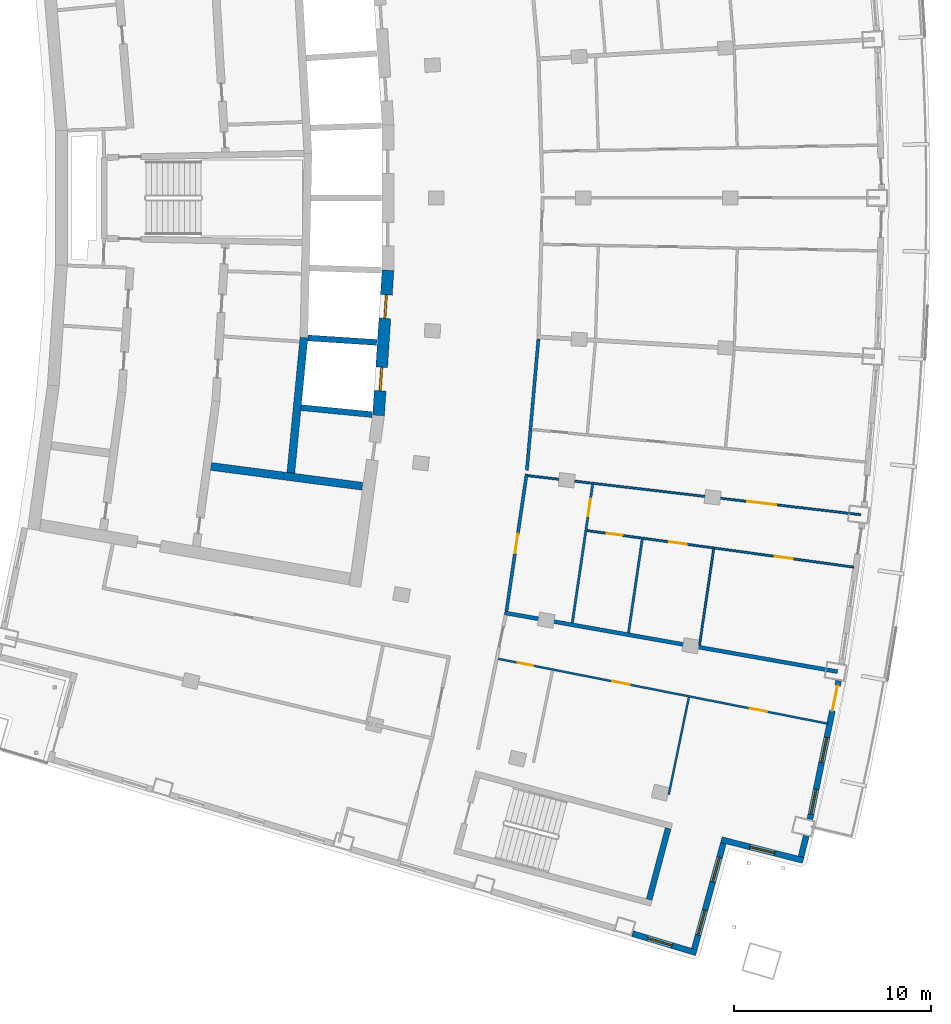
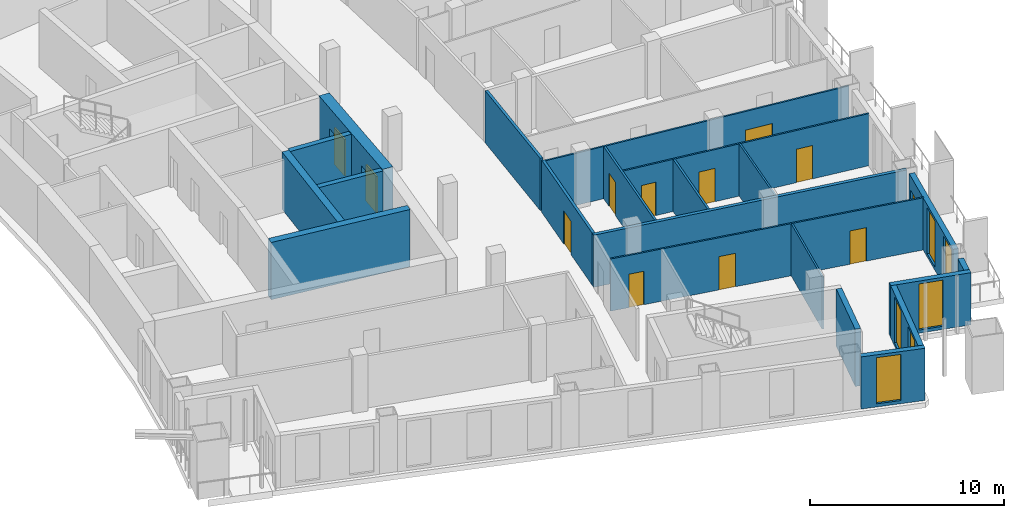
# One storey, part 10 of 19: 21 walls, 12 doors, 6 windows, 18 openings.
"""IFC4 building model written with IfcOpenShell, lengths in metres."""

from ifc_helpers import new_model, si_unit, direction, frame, frame_2d, origin, place, context, subcontext, project, spatial, rectangle, extrude, material, layer, layer_set, type_object, element, fill, save


model = new_model("IFC4")

# Units and contexts
model_context = context("Model", 3, precision=1e-05, world=origin(), true_north=direction((0.0, 1.0)))
body_context = subcontext(model_context, "Body", "Model", "MODEL_VIEW")
ifc_project = project(units=[si_unit("LENGTHUNIT", "METRE"), si_unit("AREAUNIT", "SQUARE_METRE"), si_unit("VOLUMEUNIT", "CUBIC_METRE"), si_unit("PLANEANGLEUNIT", "RADIAN"), si_unit("MASSUNIT", "GRAM", prefix="KILO")], contexts=[model_context])

# Site, building, storey
site_placement = place(None, origin())
site = spatial("IfcSite", under=ifc_project, at=site_placement, CompositionType="ELEMENT")
building_placement = place(site_placement, origin())
building = spatial("IfcBuilding", under=site, at=building_placement, Name="Alderwake Tower", CompositionType="ELEMENT")
storey_placement = place(building_placement, frame((0.0, 0.0, 203.60009765625)))
storey = spatial("IfcBuildingStorey", under=building, at=storey_placement, Name="L50", CompositionType="ELEMENT", Elevation=203.60009765625)

# Wall, openings, doors
ifc_material_1 = material(Name="Concrete C70/85", Category="concrete")
ifc_layer_1 = layer(ifc_material_1, 0.60009765625)
ifc_layer_set_1 = layer_set([ifc_layer_1], Name="Core wall outer 600 C70-85")
wall_type_1 = type_object("IfcWallType", Name="Core wall outer 600 C70-85", PredefinedType="SHEAR", material=ifc_layer_set_1)
wall_1_placement = place(storey_placement, frame((32.860107421875, 49.9453125, 0.0), z_axis=(0.0, 0.0, 1.0), x_axis=(0.065013379938, 0.997884392317, 0.0)))
wall_1 = element("IfcWall", 1, at=wall_1_placement, inside=storey, type_object=wall_type_1, Name="Core wall CW.016", PredefinedType="SHEAR", context=body_context, shape_type="SweptSolid", body=[
    extrude(rectangle(XDim=7.39404296875, YDim=0.60009765625, at=frame_2d((3.697021484375, 0.0))), origin(), (0.0, 0.0, 1.0), 3.599853515625),
])
opening_1_placement = place(wall_1_placement, frame((1.254150390625, 0.0, 0.0)))
opening_1 = element("IfcOpeningElement", 2, at=opening_1_placement, cuts=wall_1, Name="Opening LD-HP1", PredefinedType="OPENING", context=body_context, shape_type="SweptSolid", body=[
    extrude(rectangle(XDim=1.199951171875, YDim=2.300048828125, at=frame_2d((0.60009765625, 1.14990234375))), frame((0.0, 0.31005859375, 0.0), z_axis=(0.0, -1.0, 0.0), x_axis=(1.0, 0.0, 0.0)), (0.0, 0.0, 1.0), 0.6201171875),
])
opening_2_placement = place(wall_1_placement, frame((4.941162109375, 0.0, 0.0)))
opening_2 = element("IfcOpeningElement", 3, at=opening_2_placement, cuts=wall_1, Name="Opening LD-HP2", PredefinedType="OPENING", context=body_context, shape_type="SweptSolid", body=[
    extrude(rectangle(XDim=1.199951171875, YDim=2.300048828125, at=frame_2d((0.60009765625, 1.14990234375))), frame((0.0, 0.31005859375, 0.0), z_axis=(0.0, -1.0, 0.0), x_axis=(1.0, 0.0, 0.0)), (0.0, 0.0, 1.0), 0.6201171875),
])
ifc_material_2 = material(Name="Stainless steel sliding leaf", Category="steel")
door_type_1 = type_object("IfcDoorType", Name="Lift landing door 1200", OperationType="SLIDING_TO_LEFT", PredefinedType="DOOR", material=ifc_material_2)
door_1_placement = place(opening_1_placement, origin())
door_1 = element("IfcDoor", 4, at=door_1_placement, inside=storey, type_object=door_type_1, Name="Lift landing door HP1", OperationType="SLIDING_TO_LEFT", OverallHeight=2.300048828125, OverallWidth=1.199951171875, PredefinedType="DOOR", context=body_context, shape_type="SweptSolid", body=[
    extrude(rectangle(XDim=1.199951171875, YDim=2.300048828125, at=frame_2d((0.60009765625, 1.14990234375))), frame((0.0, 0.050048828125, 0.0), z_axis=(0.0, -1.0, 0.0), x_axis=(1.0, 0.0, 0.0)), (0.0, 0.0, 1.0), 0.10009765625),
])
fill(opening_1, door_1)
door_2_placement = place(opening_2_placement, origin())
door_2 = element("IfcDoor", 5, at=door_2_placement, inside=storey, type_object=door_type_1, Name="Lift landing door HP2", OperationType="SLIDING_TO_LEFT", OverallHeight=2.300048828125, OverallWidth=1.199951171875, PredefinedType="DOOR", context=body_context, shape_type="SweptSolid", body=[
    extrude(rectangle(XDim=1.199951171875, YDim=2.300048828125, at=frame_2d((0.60009765625, 1.14990234375))), frame((0.0, 0.050048828125, 0.0), z_axis=(0.0, -1.0, 0.0), x_axis=(1.0, 0.0, 0.0)), (0.0, 0.0, 1.0), 0.10009765625),
])
fill(opening_2, door_2)

# Walls
ifc_material_3 = material(Name="Concrete C70/85", Category="concrete")
ifc_layer_2 = layer(ifc_material_3, 0.300048828125)
ifc_layer_set_2 = layer_set([ifc_layer_2], Name="Core wall shaft 300 C70-85")
wall_type_2 = type_object("IfcWallType", Name="Core wall shaft 300 C70-85", PredefinedType="SHEAR", material=ifc_layer_set_2)
wall_2_placement = place(storey_placement, frame((28.92529296875, 50.341552734375, 0.0), z_axis=(0.0, 0.0, 1.0), x_axis=(0.995244416713, -0.097409193622, 0.0)))
element("IfcWall", 6, at=wall_2_placement, inside=storey, type_object=wall_type_2, Name="Core wall CW.064", PredefinedType="SHEAR", context=body_context, shape_type="SweptSolid", body=[
    extrude(rectangle(XDim=3.624267578125, YDim=0.300048828125, at=frame_2d((1.81201171875, 0.0))), origin(), (0.0, 0.0, 1.0), 3.599853515625),
])
wall_3_placement = place(storey_placement, frame((29.268798828125, 53.884521484375, 0.0), z_axis=(0.0, 0.0, 1.0), x_axis=(0.997887366571, -0.064967712281, 0.0)))
element("IfcWall", 7, at=wall_3_placement, inside=storey, type_object=wall_type_2, Name="Core wall CW.078", PredefinedType="SHEAR", context=body_context, shape_type="SweptSolid", body=[
    extrude(rectangle(XDim=3.509765625, YDim=0.300048828125, at=frame_2d((1.7548828125, 0.0))), origin(), (0.0, 0.0, 1.0), 3.599853515625),
])
ifc_material_4 = material(Name="Concrete C70/85", Category="concrete")
ifc_layer_3 = layer(ifc_material_4, 0.39990234375)
ifc_layer_set_3 = layer_set([ifc_layer_3], Name="Core wall spine 400 C70-85")
wall_type_3 = type_object("IfcWallType", Name="Core wall spine 400 C70-85", PredefinedType="SHEAR", material=ifc_layer_set_3)
wall_4_placement = place(storey_placement, frame((28.402587890625, 47.0234375, 0.0), z_axis=(0.0, 0.0, 1.0), x_axis=(0.096500230077, 0.995332962177, 0.0)))
element("IfcWall", 8, at=wall_4_placement, inside=storey, type_object=wall_type_3, Name="Core wall CW.005", PredefinedType="SHEAR", context=body_context, shape_type="SweptSolid", body=[
    extrude(rectangle(XDim=6.914306640625, YDim=0.39990234375, at=frame_2d((3.45703125, 0.0))), origin(), (0.0, 0.0, 1.0), 3.599853515625),
])
wall_5_placement = place(storey_placement, frame((24.34619140625, 47.352294921875, 0.0), z_axis=(0.0, 0.0, 1.0), x_axis=(0.991554866591, -0.129687881233, 0.0)))
element("IfcWall", 9, at=wall_5_placement, inside=storey, type_object=wall_type_3, Name="Core wall CW.069", PredefinedType="SHEAR", context=body_context, shape_type="SweptSolid", body=[
    extrude(rectangle(XDim=7.752197265625, YDim=0.39990234375, at=frame_2d((3.8759765625, 0.0))), origin(), (0.0, 0.0, 1.0), 3.599853515625),
])
ifc_material_5 = material(Name="Concrete C70/85", Category="concrete")
ifc_layer_4 = layer(ifc_material_5, 0.300048828125)
ifc_layer_set_4 = layer_set([ifc_layer_4], Name="Core wall stair enclosure 300 C70-85")
wall_type_4 = type_object("IfcWallType", Name="Core wall stair enclosure 300 C70-85", PredefinedType="SHEAR", material=ifc_layer_set_4)
wall_6_placement = place(storey_placement, frame((46.6162109375, 25.334716796875, 0.0), z_axis=(0.0, 0.0, 1.0), x_axis=(0.257366821694, 0.966313778796, 0.0)))
element("IfcWall", 10, at=wall_6_placement, inside=storey, type_object=wall_type_4, Name="Core wall CW.085", PredefinedType="SHEAR", context=body_context, shape_type="SweptSolid", body=[
    extrude(rectangle(XDim=3.749755859375, YDim=0.300048828125, at=frame_2d((1.875, 0.0))), origin(), (0.0, 0.0, 1.0), 3.599853515625),
])

# Wall, opening, door
ifc_material_6 = material(Name="Gypsum board on metal studs, rated")
ifc_layer_5 = layer(ifc_material_6, 0.159912109375)
ifc_layer_set_5 = layer_set([ifc_layer_5], Name="Corridor wall 160")
wall_type_5 = type_object("IfcWallType", Name="Corridor wall 160", PredefinedType="PARTITIONING", material=ifc_layer_set_5)
wall_7_placement = place(storey_placement, frame((40.388671875, 46.97216796875, 0.0), z_axis=(0.0, 0.0, 1.0), x_axis=(-0.145525888156, -0.989354444007, 0.0)))
wall_7 = element("IfcWall", 11, at=wall_7_placement, inside=storey, type_object=wall_type_5, Name="WL/L50/W21", PredefinedType="PARTITIONING", context=body_context, shape_type="SweptSolid", body=[
    extrude(rectangle(XDim=7.051025390625, YDim=0.159912109375, at=frame_2d((3.525390625, 0.0))), origin(), (0.0, 0.0, 1.0), 3.27978515625),
])
opening_3_placement = place(wall_7_placement, frame((3.066162109375, 0.0, 0.0)))
opening_3 = element("IfcOpeningElement", 12, at=opening_3_placement, cuts=wall_7, Name="Opening R14-U04.2", PredefinedType="OPENING", context=body_context, shape_type="SweptSolid", body=[
    extrude(rectangle(XDim=1.0, YDim=2.10009765625, at=frame_2d((0.5, 1.050048828125))), frame((0.0, 0.08984375, 0.0), z_axis=(0.0, -1.0, 0.0), x_axis=(1.0, 0.0, 0.0)), (0.0, 0.0, 1.0), 0.179931640625),
])
ifc_material_7 = material(Name="Solid timber leaf in steel frame", Category="steel")
door_type_2 = type_object("IfcDoorType", Name="Flat entrance door 1000 fire-rated", OperationType="SINGLE_SWING_LEFT", PredefinedType="DOOR", material=ifc_material_7)
door_3_placement = place(opening_3_placement, origin())
door_3 = element("IfcDoor", 13, at=door_3_placement, inside=storey, type_object=door_type_2, Name="DR/L50/U04.2", OperationType="SINGLE_SWING_LEFT", OverallHeight=2.10009765625, OverallWidth=1.0, PredefinedType="DOOR", context=body_context, shape_type="SweptSolid", body=[
    extrude(rectangle(XDim=1.0, YDim=2.10009765625, at=frame_2d((0.5, 1.050048828125))), frame((0.0, 0.02490234375, 0.0), z_axis=(0.0, -1.0, 0.0), x_axis=(1.0, 0.0, 0.0)), (0.0, 0.0, 1.0), 0.050048828125),
])
fill(opening_3, door_3)

# Walls
wall_8_placement = place(storey_placement, frame((40.400390625, 47.15869140625, 0.0), z_axis=(0.0, 0.0, 1.0), x_axis=(0.087437661692, 0.996169993183, 0.0)))
element("IfcWall", 14, at=wall_8_placement, inside=storey, type_object=wall_type_5, Name="WL/L50/W24", PredefinedType="PARTITIONING", context=body_context, shape_type="SweptSolid", body=[
    extrude(rectangle(XDim=6.701171875, YDim=0.159912109375, at=frame_2d((3.3505859375, 0.0))), origin(), (0.0, 0.0, 1.0), 3.27978515625),
])
ifc_material_8 = material(Name="Precast concrete C50/60 spandrel panel", Category="concrete")
ifc_layer_6 = layer(ifc_material_8, 0.300048828125)
ifc_layer_set_6 = layer_set([ifc_layer_6], Name="External wall EW1 Precast concrete C50/60 spandrel")
wall_type_6 = type_object("IfcWallType", Name="External wall EW1 Precast concrete C50/60 spandrel", PredefinedType="SOLIDWALL", material=ifc_layer_set_6)
wall_9_placement = place(storey_placement, frame((54.336181640625, 27.51220703125, 0.0), z_axis=(0.0, 0.0, 1.0), x_axis=(0.238257462472, 0.971202029228, 0.0)))
element("IfcWall", 15, at=wall_9_placement, inside=storey, type_object=wall_type_6, Name="External wall 11", PredefinedType="SOLIDWALL", context=body_context, shape_type="SweptSolid", body=[
    extrude(rectangle(XDim=1.088134765625, YDim=0.300048828125, at=frame_2d((0.5439453125, 0.0))), origin(), (0.0, 0.0, 1.0), 3.27978515625),
])

# Wall, openings, door, windows
wall_10_placement = place(storey_placement, frame((54.788818359375, 29.42529296875, 0.0), z_axis=(0.0, 0.0, 1.0), x_axis=(0.202741640608, 0.979232264156, 0.0)))
wall_10 = element("IfcWall", 16, at=wall_10_placement, inside=storey, type_object=wall_type_6, Name="External wall 12", PredefinedType="SOLIDWALL", context=body_context, shape_type="SweptSolid", body=[
    extrude(rectangle(XDim=7.1806640625, YDim=0.300048828125, at=frame_2d((3.59033203125, 0.0))), origin(), (0.0, 0.0, 1.0), 3.27978515625),
])
opening_4_placement = place(wall_10_placement, frame((0.25341796875, 0.0, 0.199951171875)))
opening_4 = element("IfcOpeningElement", 17, at=opening_4_placement, cuts=wall_10, Name="Opening W1", PredefinedType="OPENING", context=body_context, shape_type="SweptSolid", body=[
    extrude(rectangle(XDim=1.300048828125, YDim=2.89990234375, at=frame_2d((0.64990234375, 1.449951171875))), frame((0.0, 0.159912109375, 0.0), z_axis=(0.0, -1.0, 0.0), x_axis=(1.0, 0.0, 0.0)), (0.0, 0.0, 1.0), 0.320068359375),
])
opening_5_placement = place(wall_10_placement, frame((2.940185546875, 0.0, 0.199951171875)))
opening_5 = element("IfcOpeningElement", 18, at=opening_5_placement, cuts=wall_10, Name="Opening W1", PredefinedType="OPENING", context=body_context, shape_type="SweptSolid", body=[
    extrude(rectangle(XDim=1.300048828125, YDim=2.89990234375, at=frame_2d((0.64990234375, 1.449951171875))), frame((0.0, 0.159912109375, 0.0), z_axis=(0.0, -1.0, 0.0), x_axis=(1.0, 0.0, 0.0)), (0.0, 0.0, 1.0), 0.320068359375),
])
opening_6_placement = place(wall_10_placement, frame((5.626953125, 0.0, 0.0)))
opening_6 = element("IfcOpeningElement", 19, at=opening_6_placement, cuts=wall_10, Name="Opening D02", PredefinedType="OPENING", context=body_context, shape_type="SweptSolid", body=[
    extrude(rectangle(XDim=1.300048828125, YDim=2.39990234375, at=frame_2d((0.64990234375, 1.199951171875))), frame((0.0, 0.159912109375, 0.0), z_axis=(0.0, -1.0, 0.0), x_axis=(1.0, 0.0, 0.0)), (0.0, 0.0, 1.0), 0.320068359375),
])
ifc_material_9 = material(Name="Bronze tinted glass in aluminium frame", Category="aluminium")
door_type_3 = type_object("IfcDoorType", Name="Balcony door BD sliding", OperationType="SLIDING_TO_LEFT", PredefinedType="DOOR", material=ifc_material_9)
door_4_placement = place(opening_6_placement, origin())
door_4 = element("IfcDoor", 20, at=door_4_placement, inside=storey, type_object=door_type_3, Name="Door D02", OperationType="SLIDING_TO_LEFT", OverallHeight=2.39990234375, OverallWidth=1.300048828125, PredefinedType="DOOR", context=body_context, shape_type="SweptSolid", body=[
    extrude(rectangle(XDim=1.300048828125, YDim=2.39990234375, at=frame_2d((0.64990234375, 1.199951171875))), frame((0.0, 0.02490234375, 0.0), z_axis=(0.0, -1.0, 0.0), x_axis=(1.0, 0.0, 0.0)), (0.0, 0.0, 1.0), 0.050048828125),
])
fill(opening_6, door_4)
ifc_material_10 = material(Name="Bronze tinted glass in aluminium frame", Category="aluminium")
window_type = type_object("IfcWindowType", Name="Window W1 tall fixed and vent", PartitioningType="DOUBLE_PANEL_VERTICAL", PredefinedType="WINDOW", material=ifc_material_10)
window_1_placement = place(opening_4_placement, origin())
window_1 = element("IfcWindow", 21, at=window_1_placement, inside=storey, type_object=window_type, Name="Window W1 tall fixed and vent", OverallHeight=2.89990234375, OverallWidth=1.300048828125, PartitioningType="DOUBLE_PANEL_VERTICAL", PredefinedType="WINDOW", context=body_context, shape_type="SweptSolid", body=[
    extrude(rectangle(XDim=1.300048828125, YDim=2.89990234375, at=frame_2d((0.64990234375, 1.449951171875))), frame((0.0, 0.030029296875, 0.0), z_axis=(0.0, -1.0, 0.0), x_axis=(1.0, 0.0, 0.0)), (0.0, 0.0, 1.0), 0.06005859375),
])
fill(opening_4, window_1)
window_2_placement = place(opening_5_placement, origin())
window_2 = element("IfcWindow", 22, at=window_2_placement, inside=storey, type_object=window_type, Name="Window W1 tall fixed and vent", OverallHeight=2.89990234375, OverallWidth=1.300048828125, PartitioningType="DOUBLE_PANEL_VERTICAL", PredefinedType="WINDOW", context=body_context, shape_type="SweptSolid", body=[
    extrude(rectangle(XDim=1.300048828125, YDim=2.89990234375, at=frame_2d((0.64990234375, 1.449951171875))), frame((0.0, 0.030029296875, 0.0), z_axis=(0.0, -1.0, 0.0), x_axis=(1.0, 0.0, 0.0)), (0.0, 0.0, 1.0), 0.06005859375),
])
fill(opening_5, window_2)

# Wall, opening, window
ifc_material_11 = material(Name="Bronze metal cladding on lightweight framing")
ifc_layer_7 = layer(ifc_material_11, 0.300048828125)
ifc_layer_set_7 = layer_set([ifc_layer_7], Name="External wall EW2 bronze metal cladding")
wall_type_7 = type_object("IfcWallType", Name="External wall EW2 bronze metal cladding", PredefinedType="SOLIDWALL", material=ifc_layer_set_7)
wall_11_placement = place(storey_placement, frame((45.767822265625, 23.606201171875, 0.0), z_axis=(0.0, 0.0, 1.0), x_axis=(0.957772718114, -0.287526382159, 0.0)))
wall_11 = element("IfcWall", 23, at=wall_11_placement, inside=storey, type_object=wall_type_7, Name="External wall 8", PredefinedType="SOLIDWALL", context=body_context, shape_type="SweptSolid", body=[
    extrude(rectangle(XDim=3.387939453125, YDim=0.300048828125, at=frame_2d((1.69384765625, 0.0))), origin(), (0.0, 0.0, 1.0), 3.27978515625),
])
opening_7_placement = place(wall_11_placement, frame((0.8056640625, 0.0, 0.199951171875)))
opening_7 = element("IfcOpeningElement", 24, at=opening_7_placement, cuts=wall_11, Name="Opening W1", PredefinedType="OPENING", context=body_context, shape_type="SweptSolid", body=[
    extrude(rectangle(XDim=1.300048828125, YDim=2.89990234375, at=frame_2d((0.64990234375, 1.449951171875))), frame((0.0, 0.159912109375, 0.0), z_axis=(0.0, -1.0, 0.0), x_axis=(1.0, 0.0, 0.0)), (0.0, 0.0, 1.0), 0.320068359375),
])
window_3_placement = place(opening_7_placement, origin())
window_3 = element("IfcWindow", 25, at=window_3_placement, inside=storey, type_object=window_type, Name="Window W1 tall fixed and vent", OverallHeight=2.89990234375, OverallWidth=1.300048828125, PartitioningType="DOUBLE_PANEL_VERTICAL", PredefinedType="WINDOW", context=body_context, shape_type="SweptSolid", body=[
    extrude(rectangle(XDim=1.300048828125, YDim=2.89990234375, at=frame_2d((0.64990234375, 1.449951171875))), frame((0.0, 0.030029296875, 0.0), z_axis=(0.0, -1.0, 0.0), x_axis=(1.0, 0.0, 0.0)), (0.0, 0.0, 1.0), 0.06005859375),
])
fill(opening_7, window_3)

# Wall, openings, windows
wall_12_placement = place(storey_placement, frame((48.90869140625, 22.81982421875, 0.0), z_axis=(0.0, 0.0, 1.0), x_axis=(0.265100570168, 0.964220767095, 0.0)))
wall_12 = element("IfcWall", 26, at=wall_12_placement, inside=storey, type_object=wall_type_7, Name="External wall 9", PredefinedType="SOLIDWALL", context=body_context, shape_type="SweptSolid", body=[
    extrude(rectangle(XDim=5.581787109375, YDim=0.300048828125, at=frame_2d((2.791015625, 0.0))), origin(), (0.0, 0.0, 1.0), 3.27978515625),
])
opening_8_placement = place(wall_12_placement, frame((0.745361328125, 0.0, 0.199951171875)))
opening_8 = element("IfcOpeningElement", 27, at=opening_8_placement, cuts=wall_12, Name="Opening W1", PredefinedType="OPENING", context=body_context, shape_type="SweptSolid", body=[
    extrude(rectangle(XDim=1.300048828125, YDim=2.89990234375, at=frame_2d((0.64990234375, 1.449951171875))), frame((0.0, 0.159912109375, 0.0), z_axis=(0.0, -1.0, 0.0), x_axis=(1.0, 0.0, 0.0)), (0.0, 0.0, 1.0), 0.320068359375),
])
opening_9_placement = place(wall_12_placement, frame((3.536376953125, 0.0, 0.199951171875)))
opening_9 = element("IfcOpeningElement", 28, at=opening_9_placement, cuts=wall_12, Name="Opening W1", PredefinedType="OPENING", context=body_context, shape_type="SweptSolid", body=[
    extrude(rectangle(XDim=1.300048828125, YDim=2.89990234375, at=frame_2d((0.64990234375, 1.449951171875))), frame((0.0, 0.159912109375, 0.0), z_axis=(0.0, -1.0, 0.0), x_axis=(1.0, 0.0, 0.0)), (0.0, 0.0, 1.0), 0.320068359375),
])
window_4_placement = place(opening_8_placement, origin())
window_4 = element("IfcWindow", 29, at=window_4_placement, inside=storey, type_object=window_type, Name="Window W1 tall fixed and vent", OverallHeight=2.89990234375, OverallWidth=1.300048828125, PartitioningType="DOUBLE_PANEL_VERTICAL", PredefinedType="WINDOW", context=body_context, shape_type="SweptSolid", body=[
    extrude(rectangle(XDim=1.300048828125, YDim=2.89990234375, at=frame_2d((0.64990234375, 1.449951171875))), frame((0.0, 0.030029296875, 0.0), z_axis=(0.0, -1.0, 0.0), x_axis=(1.0, 0.0, 0.0)), (0.0, 0.0, 1.0), 0.06005859375),
])
fill(opening_8, window_4)
window_5_placement = place(opening_9_placement, origin())
window_5 = element("IfcWindow", 30, at=window_5_placement, inside=storey, type_object=window_type, Name="Window W1 tall fixed and vent", OverallHeight=2.89990234375, OverallWidth=1.300048828125, PartitioningType="DOUBLE_PANEL_VERTICAL", PredefinedType="WINDOW", context=body_context, shape_type="SweptSolid", body=[
    extrude(rectangle(XDim=1.300048828125, YDim=2.89990234375, at=frame_2d((0.64990234375, 1.449951171875))), frame((0.0, 0.030029296875, 0.0), z_axis=(0.0, -1.0, 0.0), x_axis=(1.0, 0.0, 0.0)), (0.0, 0.0, 1.0), 0.06005859375),
])
fill(opening_9, window_5)

# Wall, opening, window
wall_13_placement = place(storey_placement, frame((50.282958984375, 28.38330078125, 0.0), z_axis=(0.0, 0.0, 1.0), x_axis=(0.969425962264, -0.245383992325, 0.0)))
wall_13 = element("IfcWall", 31, at=wall_13_placement, inside=storey, type_object=wall_type_7, Name="External wall 10", PredefinedType="SOLIDWALL", context=body_context, shape_type="SweptSolid", body=[
    extrude(rectangle(XDim=4.294189453125, YDim=0.300048828125, at=frame_2d((2.14697265625, 0.0))), origin(), (0.0, 0.0, 1.0), 3.27978515625),
])
opening_10_placement = place(wall_13_placement, frame((1.4970703125, 0.0, 0.199951171875)))
opening_10 = element("IfcOpeningElement", 32, at=opening_10_placement, cuts=wall_13, Name="Opening W1", PredefinedType="OPENING", context=body_context, shape_type="SweptSolid", body=[
    extrude(rectangle(XDim=1.300048828125, YDim=2.89990234375, at=frame_2d((0.64990234375, 1.449951171875))), frame((0.0, 0.159912109375, 0.0), z_axis=(0.0, -1.0, 0.0), x_axis=(1.0, 0.0, 0.0)), (0.0, 0.0, 1.0), 0.320068359375),
])
window_6_placement = place(opening_10_placement, origin())
window_6 = element("IfcWindow", 33, at=window_6_placement, inside=storey, type_object=window_type, Name="Window W1 tall fixed and vent", OverallHeight=2.89990234375, OverallWidth=1.300048828125, PartitioningType="DOUBLE_PANEL_VERTICAL", PredefinedType="WINDOW", context=body_context, shape_type="SweptSolid", body=[
    extrude(rectangle(XDim=1.300048828125, YDim=2.89990234375, at=frame_2d((0.64990234375, 1.449951171875))), frame((0.0, 0.030029296875, 0.0), z_axis=(0.0, -1.0, 0.0), x_axis=(1.0, 0.0, 0.0)), (0.0, 0.0, 1.0), 0.06005859375),
])
fill(opening_10, window_6)

# Wall
ifc_material_12 = material(Name="Dense block masonry wall", Category="masonry")
ifc_layer_8 = layer(ifc_material_12, 0.199951171875)
ifc_layer_set_8 = layer_set([ifc_layer_8], Name="Party wall 200")
wall_type_8 = type_object("IfcWallType", Name="Party wall 200", PredefinedType="SOLIDWALL", material=ifc_layer_set_8)
wall_14_placement = place(storey_placement, frame((56.18701171875, 36.9208984375, 0.0), z_axis=(0.0, 0.0, 1.0), x_axis=(-0.984738604475, 0.17403988295, 0.0)))
element("IfcWall", 34, at=wall_14_placement, inside=storey, type_object=wall_type_8, Name="WL/L50/W01", PredefinedType="SOLIDWALL", context=body_context, shape_type="SweptSolid", body=[
    extrude(rectangle(XDim=17.179931640625, YDim=0.199951171875, at=frame_2d((8.58984375, 0.0))), origin(), (0.0, 0.0, 1.0), 3.27978515625),
])

# Wall, openings, doors
ifc_material_13 = material(Name="Gypsum board on metal studs")
ifc_layer_9 = layer(ifc_material_13, 0.10009765625)
ifc_layer_set_9 = layer_set([ifc_layer_9], Name="Unit partition 100")
wall_type_9 = type_object("IfcWallType", Name="Unit partition 100", PredefinedType="PARTITIONING", material=ifc_layer_set_9)
wall_15_placement = place(storey_placement, frame((55.69189453125, 34.278076171875, 0.0), z_axis=(0.0, 0.0, 1.0), x_axis=(-0.981163437525, 0.193179473197, 0.0)))
wall_15 = element("IfcWall", 35, at=wall_15_placement, inside=storey, type_object=wall_type_9, Name="WL/L50/W43", PredefinedType="PARTITIONING", context=body_context, shape_type="SweptSolid", body=[
    extrude(rectangle(XDim=17.06396484375, YDim=0.10009765625, at=frame_2d((8.531982421875, 0.0))), origin(), (0.0, 0.0, 1.0), 3.27978515625),
])
opening_11_placement = place(wall_15_placement, frame((10.263671875, 0.0, 0.0)))
opening_11 = element("IfcOpeningElement", 36, at=opening_11_placement, cuts=wall_15, Name="Opening R14-U03.1", PredefinedType="OPENING", context=body_context, shape_type="SweptSolid", body=[
    extrude(rectangle(XDim=0.89990234375, YDim=2.10009765625, at=frame_2d((0.449951171875, 1.050048828125))), frame((0.0, 0.06005859375, 0.0), z_axis=(0.0, -1.0, 0.0), x_axis=(1.0, 0.0, 0.0)), (0.0, 0.0, 1.0), 0.1201171875),
])
opening_12_placement = place(wall_15_placement, frame((15.25439453125, 0.0, 0.0)))
opening_12 = element("IfcOpeningElement", 37, at=opening_12_placement, cuts=wall_15, Name="Opening R14-U03.3", PredefinedType="OPENING", context=body_context, shape_type="SweptSolid", body=[
    extrude(rectangle(XDim=0.800048828125, YDim=2.10009765625, at=frame_2d((0.39990234375, 1.050048828125))), frame((0.0, 0.06005859375, 0.0), z_axis=(0.0, -1.0, 0.0), x_axis=(1.0, 0.0, 0.0)), (0.0, 0.0, 1.0), 0.1201171875),
])
opening_13_placement = place(wall_15_placement, frame((3.141845703125, 0.0, 0.0)))
opening_13 = element("IfcOpeningElement", 38, at=opening_13_placement, cuts=wall_15, Name="Opening R14-U03.4", PredefinedType="OPENING", context=body_context, shape_type="SweptSolid", body=[
    extrude(rectangle(XDim=0.89990234375, YDim=2.10009765625, at=frame_2d((0.449951171875, 1.050048828125))), frame((0.0, 0.06005859375, 0.0), z_axis=(0.0, -1.0, 0.0), x_axis=(1.0, 0.0, 0.0)), (0.0, 0.0, 1.0), 0.1201171875),
])
ifc_material_14 = material(Name="Painted timber leaf", Category="wood")
door_type_4 = type_object("IfcDoorType", Name="Bathroom door 800", OperationType="SINGLE_SWING_LEFT", PredefinedType="DOOR", material=ifc_material_14)
door_5_placement = place(opening_12_placement, origin())
door_5 = element("IfcDoor", 39, at=door_5_placement, inside=storey, type_object=door_type_4, Name="DR/L50/U03.3", OperationType="SINGLE_SWING_LEFT", OverallHeight=2.10009765625, OverallWidth=0.800048828125, PredefinedType="DOOR", context=body_context, shape_type="SweptSolid", body=[
    extrude(rectangle(XDim=0.800048828125, YDim=2.10009765625, at=frame_2d((0.39990234375, 1.050048828125))), frame((0.0, 0.02490234375, 0.0), z_axis=(0.0, -1.0, 0.0), x_axis=(1.0, 0.0, 0.0)), (0.0, 0.0, 1.0), 0.050048828125),
])
fill(opening_12, door_5)
ifc_material_15 = material(Name="Painted timber leaf", Category="wood")
door_type_5 = type_object("IfcDoorType", Name="Room door 900", OperationType="SINGLE_SWING_LEFT", PredefinedType="DOOR", material=ifc_material_15)
door_6_placement = place(opening_11_placement, origin())
door_6 = element("IfcDoor", 40, at=door_6_placement, inside=storey, type_object=door_type_5, Name="DR/L50/U03.1", OperationType="SINGLE_SWING_LEFT", OverallHeight=2.10009765625, OverallWidth=0.89990234375, PredefinedType="DOOR", context=body_context, shape_type="SweptSolid", body=[
    extrude(rectangle(XDim=0.89990234375, YDim=2.10009765625, at=frame_2d((0.449951171875, 1.050048828125))), frame((0.0, 0.02490234375, 0.0), z_axis=(0.0, -1.0, 0.0), x_axis=(1.0, 0.0, 0.0)), (0.0, 0.0, 1.0), 0.050048828125),
])
fill(opening_11, door_6)
door_7_placement = place(opening_13_placement, origin())
door_7 = element("IfcDoor", 41, at=door_7_placement, inside=storey, type_object=door_type_5, Name="DR/L50/U03.4", OperationType="SINGLE_SWING_LEFT", OverallHeight=2.10009765625, OverallWidth=0.89990234375, PredefinedType="DOOR", context=body_context, shape_type="SweptSolid", body=[
    extrude(rectangle(XDim=0.89990234375, YDim=2.10009765625, at=frame_2d((0.449951171875, 1.050048828125))), frame((0.0, 0.02490234375, 0.0), z_axis=(0.0, -1.0, 0.0), x_axis=(1.0, 0.0, 0.0)), (0.0, 0.0, 1.0), 0.050048828125),
])
fill(opening_13, door_7)

# Wall, opening, door
wall_16_placement = place(storey_placement, frame((40.45654296875, 46.8837890625, 0.0), z_axis=(0.0, 0.0, 1.0), x_axis=(0.993189715166, -0.116508324546, 0.0)))
wall_16 = element("IfcWall", 42, at=wall_16_placement, inside=storey, type_object=wall_type_9, Name="WL/L50/W45", PredefinedType="PARTITIONING", context=body_context, shape_type="SweptSolid", body=[
    extrude(rectangle(XDim=17.01953125, YDim=0.10009765625, at=frame_2d((8.509765625, 0.0))), origin(), (0.0, 0.0, 1.0), 3.27978515625),
])
opening_14_placement = place(wall_16_placement, frame((11.213134765625, 0.0, 0.0)))
opening_14 = element("IfcOpeningElement", 43, at=opening_14_placement, cuts=wall_16, Name="Opening R14-U04.9", PredefinedType="OPENING", context=body_context, shape_type="SweptSolid", body=[
    extrude(rectangle(XDim=1.5, YDim=2.10009765625, at=frame_2d((0.75, 1.050048828125))), frame((0.0, 0.06005859375, 0.0), z_axis=(0.0, -1.0, 0.0), x_axis=(1.0, 0.0, 0.0)), (0.0, 0.0, 1.0), 0.1201171875),
])
ifc_material_16 = material(Name="Painted timber leaves", Category="wood")
door_type_6 = type_object("IfcDoorType", Name="Double leaf door 1500", OperationType="DOUBLE_DOOR_SINGLE_SWING", PredefinedType="DOOR", material=ifc_material_16)
door_8_placement = place(opening_14_placement, origin())
door_8 = element("IfcDoor", 44, at=door_8_placement, inside=storey, type_object=door_type_6, Name="DR/L50/U04.9", OperationType="DOUBLE_DOOR_SINGLE_SWING", OverallHeight=2.10009765625, OverallWidth=1.5, PredefinedType="DOOR", context=body_context, shape_type="SweptSolid", body=[
    extrude(rectangle(XDim=1.5, YDim=2.10009765625, at=frame_2d((0.75, 1.050048828125))), frame((0.0, 0.02490234375, 0.0), z_axis=(0.0, -1.0, 0.0), x_axis=(1.0, 0.0, 0.0)), (0.0, 0.0, 1.0), 0.050048828125),
])
fill(opening_14, door_8)

# Wall, openings, doors
wall_17_placement = place(storey_placement, frame((57.01806640625, 42.23388671875, 0.0), z_axis=(0.0, 0.0, 1.0), x_axis=(-0.990740493083, 0.135769198883, 0.0)))
wall_17 = element("IfcWall", 45, at=wall_17_placement, inside=storey, type_object=wall_type_9, Name="WL/L50/W49", PredefinedType="PARTITIONING", context=body_context, shape_type="SweptSolid", body=[
    extrude(rectangle(XDim=13.684326171875, YDim=0.10009765625, at=frame_2d((6.84228515625, 0.0))), origin(), (0.0, 0.0, 1.0), 3.27978515625),
])
opening_15_placement = place(wall_17_placement, frame((8.563232421875, 0.0, 0.0)))
opening_15 = element("IfcOpeningElement", 46, at=opening_15_placement, cuts=wall_17, Name="Opening R14-U04.1", PredefinedType="OPENING", context=body_context, shape_type="SweptSolid", body=[
    extrude(rectangle(XDim=0.89990234375, YDim=2.10009765625, at=frame_2d((0.449951171875, 1.050048828125))), frame((0.0, 0.06005859375, 0.0), z_axis=(0.0, -1.0, 0.0), x_axis=(1.0, 0.0, 0.0)), (0.0, 0.0, 1.0), 0.1201171875),
])
opening_16_placement = place(wall_17_placement, frame((11.86474609375, 0.0, 0.0)))
opening_16 = element("IfcOpeningElement", 47, at=opening_16_placement, cuts=wall_17, Name="Opening R14-U04.4", PredefinedType="OPENING", context=body_context, shape_type="SweptSolid", body=[
    extrude(rectangle(XDim=0.800048828125, YDim=2.10009765625, at=frame_2d((0.39990234375, 1.050048828125))), frame((0.0, 0.06005859375, 0.0), z_axis=(0.0, -1.0, 0.0), x_axis=(1.0, 0.0, 0.0)), (0.0, 0.0, 1.0), 0.1201171875),
])
opening_17_placement = place(wall_17_placement, frame((3.140869140625, 0.0, 0.0)))
opening_17 = element("IfcOpeningElement", 48, at=opening_17_placement, cuts=wall_17, Name="Opening R14-U04.5", PredefinedType="OPENING", context=body_context, shape_type="SweptSolid", body=[
    extrude(rectangle(XDim=0.89990234375, YDim=2.10009765625, at=frame_2d((0.449951171875, 1.050048828125))), frame((0.0, 0.06005859375, 0.0), z_axis=(0.0, -1.0, 0.0), x_axis=(1.0, 0.0, 0.0)), (0.0, 0.0, 1.0), 0.1201171875),
])
door_9_placement = place(opening_16_placement, origin())
door_9 = element("IfcDoor", 49, at=door_9_placement, inside=storey, type_object=door_type_4, Name="DR/L50/U04.4", OperationType="SINGLE_SWING_LEFT", OverallHeight=2.10009765625, OverallWidth=0.800048828125, PredefinedType="DOOR", context=body_context, shape_type="SweptSolid", body=[
    extrude(rectangle(XDim=0.800048828125, YDim=2.10009765625, at=frame_2d((0.39990234375, 1.050048828125))), frame((0.0, 0.02490234375, 0.0), z_axis=(0.0, -1.0, 0.0), x_axis=(1.0, 0.0, 0.0)), (0.0, 0.0, 1.0), 0.050048828125),
])
fill(opening_16, door_9)
door_10_placement = place(opening_15_placement, origin())
door_10 = element("IfcDoor", 50, at=door_10_placement, inside=storey, type_object=door_type_5, Name="DR/L50/U04.1", OperationType="SINGLE_SWING_LEFT", OverallHeight=2.10009765625, OverallWidth=0.89990234375, PredefinedType="DOOR", context=body_context, shape_type="SweptSolid", body=[
    extrude(rectangle(XDim=0.89990234375, YDim=2.10009765625, at=frame_2d((0.449951171875, 1.050048828125))), frame((0.0, 0.02490234375, 0.0), z_axis=(0.0, -1.0, 0.0), x_axis=(1.0, 0.0, 0.0)), (0.0, 0.0, 1.0), 0.050048828125),
])
fill(opening_15, door_10)
door_11_placement = place(opening_17_placement, origin())
door_11 = element("IfcDoor", 51, at=door_11_placement, inside=storey, type_object=door_type_5, Name="DR/L50/U04.5", OperationType="SINGLE_SWING_LEFT", OverallHeight=2.10009765625, OverallWidth=0.89990234375, PredefinedType="DOOR", context=body_context, shape_type="SweptSolid", body=[
    extrude(rectangle(XDim=0.89990234375, YDim=2.10009765625, at=frame_2d((0.449951171875, 1.050048828125))), frame((0.0, 0.02490234375, 0.0), z_axis=(0.0, -1.0, 0.0), x_axis=(1.0, 0.0, 0.0)), (0.0, 0.0, 1.0), 0.050048828125),
])
fill(opening_17, door_11)

# Walls
wall_18_placement = place(storey_placement, frame((47.610107421875, 30.672119140625, 0.0), z_axis=(0.0, 0.0, 1.0), x_axis=(0.20291567355, 0.979196216, 0.0)))
element("IfcWall", 52, at=wall_18_placement, inside=storey, type_object=wall_type_9, Name="WL/L50/W51", PredefinedType="PARTITIONING", context=body_context, shape_type="SweptSolid", body=[
    extrude(rectangle(XDim=5.05078125, YDim=0.10009765625, at=frame_2d((2.525390625, 0.0))), origin(), (0.0, 0.0, 1.0), 3.27978515625),
])
wall_19_placement = place(storey_placement, frame((49.175537109375, 38.261962890625, 0.0), z_axis=(0.0, 0.0, 1.0), x_axis=(0.145300878319, 0.989387514961, 0.0)))
element("IfcWall", 53, at=wall_19_placement, inside=storey, type_object=wall_type_9, Name="WL/L50/W52", PredefinedType="PARTITIONING", context=body_context, shape_type="SweptSolid", body=[
    extrude(rectangle(XDim=4.949951171875, YDim=0.10009765625, at=frame_2d((2.47509765625, 0.0))), origin(), (0.0, 0.0, 1.0), 3.27978515625),
])

# Wall, opening, door
ifc_material_17 = material(Name="Moisture resistant gypsum board on metal studs")
ifc_layer_10 = layer(ifc_material_17, 0.1201171875)
ifc_layer_set_10 = layer_set([ifc_layer_10], Name="Wet room partition 120")
wall_type_10 = type_object("IfcWallType", Name="Wet room partition 120", PredefinedType="PARTITIONING", material=ifc_layer_set_10)
wall_20_placement = place(storey_placement, frame((43.74462890625, 46.447509765625, 0.0), z_axis=(0.0, 0.0, 1.0), x_axis=(-0.145290574876, -0.989389028063, 0.0)))
wall_20 = element("IfcWall", 54, at=wall_20_placement, inside=storey, type_object=wall_type_10, Name="WL/L50/W35", PredefinedType="PARTITIONING", context=body_context, shape_type="SweptSolid", body=[
    extrude(rectangle(XDim=7.117919921875, YDim=0.1201171875, at=frame_2d((3.55908203125, 0.0))), origin(), (0.0, 0.0, 1.0), 3.27978515625),
])
opening_18_placement = place(wall_20_placement, frame((0.736572265625, 0.0, 0.0)))
opening_18 = element("IfcOpeningElement", 55, at=opening_18_placement, cuts=wall_20, Name="Opening R14-U04.3", PredefinedType="OPENING", context=body_context, shape_type="SweptSolid", body=[
    extrude(rectangle(XDim=0.89990234375, YDim=2.10009765625, at=frame_2d((0.449951171875, 1.050048828125))), frame((0.0, 0.070068359375, 0.0), z_axis=(0.0, -1.0, 0.0), x_axis=(1.0, 0.0, 0.0)), (0.0, 0.0, 1.0), 0.14013671875),
])
door_12_placement = place(opening_18_placement, origin())
door_12 = element("IfcDoor", 56, at=door_12_placement, inside=storey, type_object=door_type_5, Name="DR/L50/U04.3", OperationType="SINGLE_SWING_LEFT", OverallHeight=2.10009765625, OverallWidth=0.89990234375, PredefinedType="DOOR", context=body_context, shape_type="SweptSolid", body=[
    extrude(rectangle(XDim=0.89990234375, YDim=2.10009765625, at=frame_2d((0.449951171875, 1.050048828125))), frame((0.0, 0.02490234375, 0.0), z_axis=(0.0, -1.0, 0.0), x_axis=(1.0, 0.0, 0.0)), (0.0, 0.0, 1.0), 0.050048828125),
])
fill(opening_18, door_12)

# Wall
wall_21_placement = place(storey_placement, frame((45.56640625, 38.90087890625, 0.0), z_axis=(0.0, 0.0, 1.0), x_axis=(0.145238137818, 0.989396726962, 0.0)))
element("IfcWall", 57, at=wall_21_placement, inside=storey, type_object=wall_type_10, Name="WL/L50/W41", PredefinedType="PARTITIONING", context=body_context, shape_type="SweptSolid", body=[
    extrude(rectangle(XDim=4.8076171875, YDim=0.1201171875, at=frame_2d((2.40380859375, 0.0))), origin(), (0.0, 0.0, 1.0), 3.27978515625),
])

save(model, "model.ifc")
